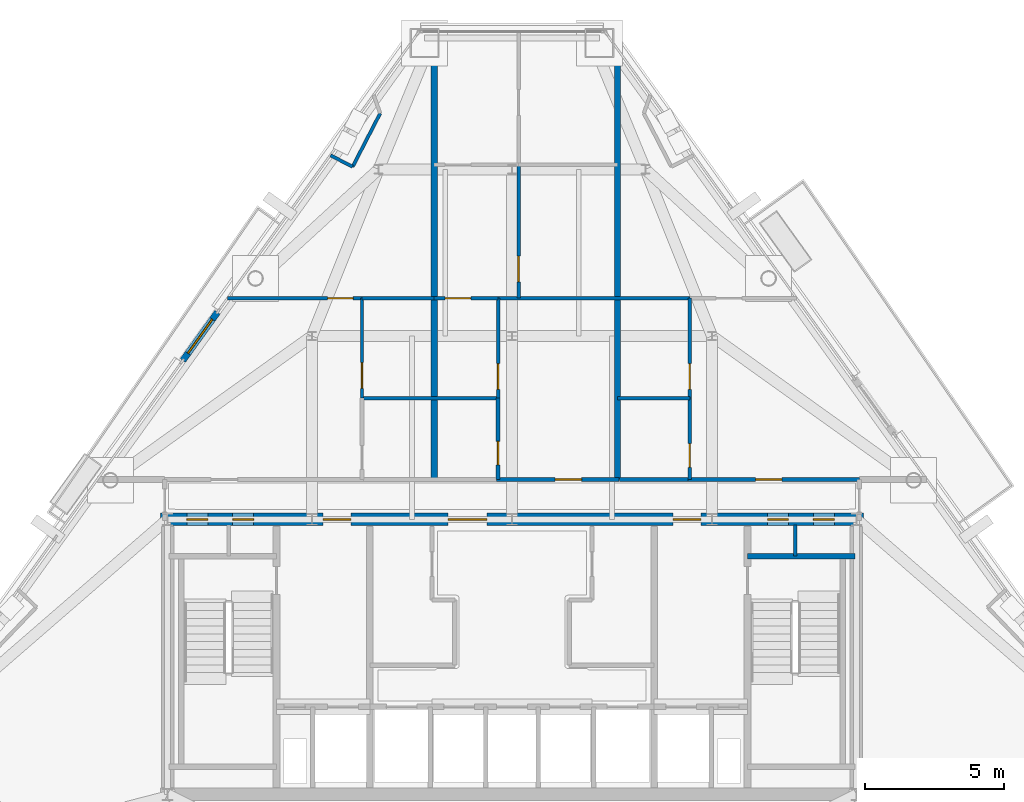
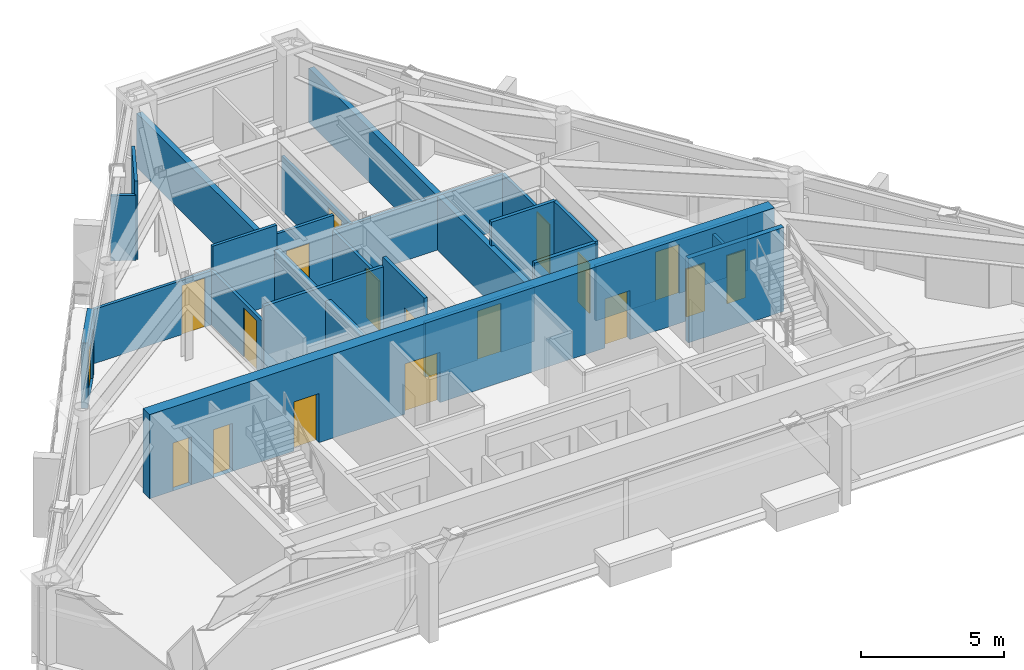
# One storey, part 8 of 11: 23 walls, 18 doors, 18 openings.
"""IFC4 building model written with IfcOpenShell, lengths in metres."""

from ifc_helpers import new_model, si_unit, direction, frame, frame_2d, origin, place, context, subcontext, project, spatial, rectangle, extrude, material, layer, layer_set, type_object, element, fill, save


model = new_model("IFC4")

# Units and contexts
model_context = context("Model", 3, precision=1e-05, world=origin(), true_north=direction((0.0, 1.0)))
body_context = subcontext(model_context, "Body", "Model", "MODEL_VIEW")
ifc_project = project(units=[si_unit("LENGTHUNIT", "METRE"), si_unit("AREAUNIT", "SQUARE_METRE"), si_unit("VOLUMEUNIT", "CUBIC_METRE"), si_unit("PLANEANGLEUNIT", "RADIAN"), si_unit("MASSUNIT", "GRAM", prefix="KILO")], contexts=[model_context])

# Site, building, storey
site_placement = place(None, origin())
site = spatial("IfcSite", under=ifc_project, at=site_placement, CompositionType="ELEMENT")
building_placement = place(site_placement, origin())
building = spatial("IfcBuilding", under=site, at=building_placement, Name="Talgorran Terracotta Tower", CompositionType="ELEMENT")
storey_placement = place(building_placement, frame((0.0, 0.0, 214.5)))
storey = spatial("IfcBuildingStorey", under=building, at=storey_placement, Name="L56", CompositionType="ELEMENT", Elevation=214.5)

# Wall, opening, door
ifc_material_1 = material(Name="Concrete C40/50", Category="concrete")
ifc_layer_1 = layer(ifc_material_1, 0.239990234375, Name="WT_BALCONY_SPAND")
ifc_layer_set_1 = layer_set([ifc_layer_1], Name="Concrete C40/50")
wall_type_1 = type_object("IfcWallType", Name="WT_BALCONY_SPAND", PredefinedType="STANDARD", material=ifc_layer_set_1)
wall_1_placement = place(storey_placement, frame((-10.60107421875, 3.2587890625, -0.014892578125), z_axis=(0.0, 0.0, 1.0), x_axis=(-0.583556118157, -0.812072815061, 0.0)))
wall_1 = element("IfcWall", 1, at=wall_1_placement, inside=storey, type_object=wall_type_1, Name="WL-L56-BALP-BAL-NW", PredefinedType="STANDARD", context=body_context, shape_type="SweptSolid", body=[
    extrude(rectangle(XDim=2.139892578125, YDim=0.239990234375, at=frame_2d((1.06982421875, 0.0))), origin(), (0.0, 0.0, 1.0), 2.802001953125),
])
opening_1_placement = place(wall_1_placement, frame((0.320068359375, 0.0, 0.014892578125)))
opening_1 = element("IfcOpeningElement", 2, at=opening_1_placement, cuts=wall_1, Name="Opening D-BAL-L56-2", PredefinedType="OPENING", context=body_context, shape_type="SweptSolid", body=[
    extrude(rectangle(XDim=1.506, YDim=2.203951171875, at=frame_2d((0.75, 1.10205078125))), frame((0.0, 0.1298828125, 0.0), z_axis=(0.0, -1.0, 0.0), x_axis=(1.0, 0.0, 0.0)), (0.0, 0.0, 1.0), 0.260009765625),
])
ifc_material_2 = material(Name="Thermally Broken Aluminium", Category="aluminium")
door_type_1 = type_object("IfcDoorType", Name="DT_BALC_1500", OperationType="SLIDING_TO_RIGHT", PredefinedType="DOOR", material=ifc_material_2)
door_1_placement = place(opening_1_placement, origin())
door_1 = element("IfcDoor", 3, at=door_1_placement, inside=storey, type_object=door_type_1, Name="DR-L56-BAL-BAL-NW", OperationType="SLIDING_TO_RIGHT", OverallHeight=2.199951171875, OverallWidth=1.5, PredefinedType="DOOR", context=body_context, shape_type="SweptSolid", body=[
    extrude(rectangle(XDim=1.5, YDim=2.199951171875, at=frame_2d((0.75, 1.10009765625))), frame((0.0, 0.02490234375, 0.0), z_axis=(0.0, -1.0, 0.0), x_axis=(1.0, 0.0, 0.0)), (0.0, 0.0, 1.0), 0.050048828125),
])
fill(opening_1, door_1)

# Wall
ifc_material_3 = material(Name="Concrete C50/60", Category="concrete")
ifc_layer_2 = layer(ifc_material_3, 0.199951171875, Name="WT_CORE_200")
ifc_layer_set_2 = layer_set([ifc_layer_2], Name="Concrete C50/60")
wall_type_2 = type_object("IfcWallType", Name="WT_CORE_200", PredefinedType="SOLIDWALL", material=ifc_layer_set_2)
wall_2_placement = place(storey_placement, frame((8.47998046875, -5.52001953125, 0.0), z_axis=(0.0, 0.0, 1.0), x_axis=(1.0, 0.0, 0.0)))
element("IfcWall", 4, at=wall_2_placement, inside=storey, type_object=wall_type_2, Name="WL-L56-CW-ST2-N", PredefinedType="SOLIDWALL", context=body_context, shape_type="SweptSolid", body=[
    extrude(rectangle(XDim=3.8701171875, YDim=0.199951171875, at=frame_2d((1.93505859375, 0.0))), origin(), (0.0, 0.0, 1.0), 3.60009765625),
])

# Wall, openings, doors
ifc_material_4 = material(Name="Concrete C65/80", Category="concrete")
ifc_layer_3 = layer(ifc_material_4, 0.449951171875, Name="WT_CORE_EXT")
ifc_layer_set_3 = layer_set([ifc_layer_3], Name="Concrete C65/80")
wall_type_3 = type_object("IfcWallType", Name="WT_CORE_EXT", PredefinedType="SHEAR", material=ifc_layer_set_3)
wall_3_placement = place(storey_placement, frame((-12.64990234375, -4.199951171875, 0.0), z_axis=(0.0, 0.0, 1.0), x_axis=(1.0, 0.0, 0.0)))
wall_3 = element("IfcWall", 5, at=wall_3_placement, inside=storey, type_object=wall_type_3, Name="WL-L56-CW-OUT-N", PredefinedType="SHEAR", context=body_context, shape_type="SweptSolid", body=[
    extrude(rectangle(XDim=25.2998046875, YDim=0.449951171875, at=frame_2d((12.64990234375, 0.0))), origin(), (0.0, 0.0, 1.0), 3.60009765625),
])
opening_2_placement = place(wall_3_placement, frame((0.949951171875, 0.0, 0.0)))
opening_2 = element("IfcOpeningElement", 6, at=opening_2_placement, cuts=wall_3, Name="Opening DR-CSN1", PredefinedType="OPENING", context=body_context, shape_type="SweptSolid", body=[
    extrude(rectangle(XDim=0.756, YDim=2.054048828125, at=frame_2d((0.375, 1.027099609375))), frame((0.0, 0.23486328125, 0.0), z_axis=(0.0, -1.0, 0.0), x_axis=(1.0, 0.0, 0.0)), (0.0, 0.0, 1.0), 0.469970703125),
])
opening_3_placement = place(wall_3_placement, frame((2.60009765625, 0.0, 0.0)))
opening_3 = element("IfcOpeningElement", 7, at=opening_3_placement, cuts=wall_3, Name="Opening DR-CSN2", PredefinedType="OPENING", context=body_context, shape_type="SweptSolid", body=[
    extrude(rectangle(XDim=0.756, YDim=2.054048828125, at=frame_2d((0.375, 1.027099609375))), frame((0.0, 0.23486328125, 0.0), z_axis=(0.0, -1.0, 0.0), x_axis=(1.0, 0.0, 0.0)), (0.0, 0.0, 1.0), 0.469970703125),
])
opening_4_placement = place(wall_3_placement, frame((21.85009765625, 0.0, 0.0)))
opening_4 = element("IfcOpeningElement", 8, at=opening_4_placement, cuts=wall_3, Name="Opening DR-CSN3", PredefinedType="OPENING", context=body_context, shape_type="SweptSolid", body=[
    extrude(rectangle(XDim=0.756, YDim=2.054048828125, at=frame_2d((0.375, 1.027099609375))), frame((0.0, 0.23486328125, 0.0), z_axis=(0.0, -1.0, 0.0), x_axis=(1.0, 0.0, 0.0)), (0.0, 0.0, 1.0), 0.469970703125),
])
opening_5_placement = place(wall_3_placement, frame((23.5, 0.0, 0.0)))
opening_5 = element("IfcOpeningElement", 9, at=opening_5_placement, cuts=wall_3, Name="Opening DR-CSN4", PredefinedType="OPENING", context=body_context, shape_type="SweptSolid", body=[
    extrude(rectangle(XDim=0.756, YDim=2.054048828125, at=frame_2d((0.375, 1.027099609375))), frame((0.0, 0.23486328125, 0.0), z_axis=(0.0, -1.0, 0.0), x_axis=(1.0, 0.0, 0.0)), (0.0, 0.0, 1.0), 0.469970703125),
])
opening_6_placement = place(wall_3_placement, frame((5.85009765625, 0.0, 0.0)))
opening_6 = element("IfcOpeningElement", 10, at=opening_6_placement, cuts=wall_3, Name="Opening DR-FFLW-N", PredefinedType="OPENING", context=body_context, shape_type="SweptSolid", body=[
    extrude(rectangle(XDim=1.006, YDim=2.10409765625, at=frame_2d((0.5, 1.052001953125))), frame((0.0, 0.23486328125, 0.0), z_axis=(0.0, -1.0, 0.0), x_axis=(1.0, 0.0, 0.0)), (0.0, 0.0, 1.0), 0.469970703125),
])
opening_7_placement = place(wall_3_placement, frame((10.35009765625, 0.0, 0.0)))
opening_7 = element("IfcOpeningElement", 11, at=opening_7_placement, cuts=wall_3, Name="Opening DR-PLL-N", PredefinedType="OPENING", context=body_context, shape_type="SweptSolid", body=[
    extrude(rectangle(XDim=1.40590234375, YDim=2.15390234375, at=frame_2d((0.699951171875, 1.076904296875))), frame((0.0, 0.23486328125, 0.0), z_axis=(0.0, -1.0, 0.0), x_axis=(1.0, 0.0, 0.0)), (0.0, 0.0, 1.0), 0.469970703125),
])
opening_8_placement = place(wall_3_placement, frame((18.449951171875, 0.0, 0.0)))
opening_8 = element("IfcOpeningElement", 12, at=opening_8_placement, cuts=wall_3, Name="Opening DR-FFLE-N", PredefinedType="OPENING", context=body_context, shape_type="SweptSolid", body=[
    extrude(rectangle(XDim=1.006, YDim=2.10409765625, at=frame_2d((0.5, 1.052001953125))), frame((0.0, 0.23486328125, 0.0), z_axis=(0.0, -1.0, 0.0), x_axis=(1.0, 0.0, 0.0)), (0.0, 0.0, 1.0), 0.469970703125),
])
ifc_material_5 = material(Name="Acoustic Glazed Timber", Category="wood")
door_type_2 = type_object("IfcDoorType", Name="DT_DOUBLE_1400", OperationType="DOUBLE_DOOR_SINGLE_SWING", PredefinedType="DOOR", material=ifc_material_5)
door_2_placement = place(opening_7_placement, origin())
door_2 = element("IfcDoor", 13, at=door_2_placement, inside=storey, type_object=door_type_2, Name="DR-PLL-N", OperationType="DOUBLE_DOOR_SINGLE_SWING", OverallHeight=2.14990234375, OverallWidth=1.39990234375, PredefinedType="DOOR", context=body_context, shape_type="SweptSolid", body=[
    extrude(rectangle(XDim=1.39990234375, YDim=2.14990234375, at=frame_2d((0.699951171875, 1.074951171875))), frame((0.0, 0.02490234375, 0.0), z_axis=(0.0, -1.0, 0.0), x_axis=(1.0, 0.0, 0.0)), (0.0, 0.0, 1.0), 0.050048828125),
])
fill(opening_7, door_2)
ifc_material_6 = material(Name="Fire-Rated Pressed Steel", Category="steel")
door_type_3 = type_object("IfcDoorType", Name="DT_FIRE_1000", OperationType="NOTDEFINED", PredefinedType="DOOR", material=ifc_material_6)
door_3_placement = place(opening_6_placement, origin())
door_3 = element("IfcDoor", 14, at=door_3_placement, inside=storey, type_object=door_type_3, Name="DR-FFLW-N", OperationType="SINGLE_SWING_LEFT", OverallHeight=2.10009765625, OverallWidth=1.0, PredefinedType="DOOR", context=body_context, shape_type="SweptSolid", body=[
    extrude(rectangle(XDim=1.0, YDim=2.10009765625, at=frame_2d((0.5, 1.050048828125))), frame((0.0, 0.02490234375, 0.0), z_axis=(0.0, -1.0, 0.0), x_axis=(1.0, 0.0, 0.0)), (0.0, 0.0, 1.0), 0.050048828125),
])
fill(opening_6, door_3)
door_4_placement = place(opening_8_placement, origin())
door_4 = element("IfcDoor", 15, at=door_4_placement, inside=storey, type_object=door_type_3, Name="DR-FFLE-N", OperationType="SINGLE_SWING_RIGHT", OverallHeight=2.10009765625, OverallWidth=1.0, PredefinedType="DOOR", context=body_context, shape_type="SweptSolid", body=[
    extrude(rectangle(XDim=1.0, YDim=2.10009765625, at=frame_2d((0.5, 1.050048828125))), frame((0.0, 0.02490234375, 0.0), z_axis=(0.0, -1.0, 0.0), x_axis=(1.0, 0.0, 0.0)), (0.0, 0.0, 1.0), 0.050048828125),
])
fill(opening_8, door_4)
door_type_4 = type_object("IfcDoorType", Name="DT_RISER_750", OperationType="NOTDEFINED", PredefinedType="DOOR", material=ifc_material_6)
door_5_placement = place(opening_2_placement, origin())
door_5 = element("IfcDoor", 16, at=door_5_placement, inside=storey, type_object=door_type_4, Name="DR-CSN1", OperationType="SINGLE_SWING_LEFT", OverallHeight=2.050048828125, OverallWidth=0.75, PredefinedType="DOOR", context=body_context, shape_type="SweptSolid", body=[
    extrude(rectangle(XDim=0.75, YDim=2.050048828125, at=frame_2d((0.375, 1.02490234375))), frame((0.0, 0.02490234375, 0.0), z_axis=(0.0, -1.0, 0.0), x_axis=(1.0, 0.0, 0.0)), (0.0, 0.0, 1.0), 0.050048828125),
])
fill(opening_2, door_5)
door_6_placement = place(opening_3_placement, origin())
door_6 = element("IfcDoor", 17, at=door_6_placement, inside=storey, type_object=door_type_4, Name="DR-CSN2", OperationType="SINGLE_SWING_RIGHT", OverallHeight=2.050048828125, OverallWidth=0.75, PredefinedType="DOOR", context=body_context, shape_type="SweptSolid", body=[
    extrude(rectangle(XDim=0.75, YDim=2.050048828125, at=frame_2d((0.375, 1.02490234375))), frame((0.0, 0.02490234375, 0.0), z_axis=(0.0, -1.0, 0.0), x_axis=(1.0, 0.0, 0.0)), (0.0, 0.0, 1.0), 0.050048828125),
])
fill(opening_3, door_6)
door_7_placement = place(opening_4_placement, origin())
door_7 = element("IfcDoor", 18, at=door_7_placement, inside=storey, type_object=door_type_4, Name="DR-CSN3", OperationType="SINGLE_SWING_LEFT", OverallHeight=2.050048828125, OverallWidth=0.75, PredefinedType="DOOR", context=body_context, shape_type="SweptSolid", body=[
    extrude(rectangle(XDim=0.75, YDim=2.050048828125, at=frame_2d((0.375, 1.02490234375))), frame((0.0, 0.02490234375, 0.0), z_axis=(0.0, -1.0, 0.0), x_axis=(1.0, 0.0, 0.0)), (0.0, 0.0, 1.0), 0.050048828125),
])
fill(opening_4, door_7)
door_8_placement = place(opening_5_placement, origin())
door_8 = element("IfcDoor", 19, at=door_8_placement, inside=storey, type_object=door_type_4, Name="DR-CSN4", OperationType="SINGLE_SWING_RIGHT", OverallHeight=2.050048828125, OverallWidth=0.75, PredefinedType="DOOR", context=body_context, shape_type="SweptSolid", body=[
    extrude(rectangle(XDim=0.75, YDim=2.050048828125, at=frame_2d((0.375, 1.02490234375))), frame((0.0, 0.02490234375, 0.0), z_axis=(0.0, -1.0, 0.0), x_axis=(1.0, 0.0, 0.0)), (0.0, 0.0, 1.0), 0.050048828125),
])
fill(opening_5, door_8)

# Wall, opening, door
ifc_material_7 = material(Name="Fire-Rated Steel Stud Plasterboard", Category="steel")
ifc_layer_4 = layer(ifc_material_7, 0.14990234375, Name="WT_FIRE_150")
ifc_layer_set_4 = layer_set([ifc_layer_4], Name="Fire-Rated Steel Stud Plasterboard")
wall_type_4 = type_object("IfcWallType", Name="WT_FIRE_150", PredefinedType="PARTITIONING", material=ifc_layer_set_4)
wall_4_placement = place(storey_placement, frame((6.340087890625, -2.760009765625, 0.0), z_axis=(0.0, 0.0, 1.0), x_axis=(1.0, 0.0, 0.0)))
wall_4 = element("IfcWall", 20, at=wall_4_placement, inside=storey, type_object=wall_type_4, Name="WL-L56-W-L56-R08", PredefinedType="PARTITIONING", context=body_context, shape_type="SweptSolid", body=[
    extrude(rectangle(XDim=6.159912109375, YDim=0.14990234375, at=frame_2d((3.080078125, 0.0))), origin(), (0.0, 0.0, 1.0), 2.320068359375),
])
opening_9_placement = place(wall_4_placement, frame((2.426025390625, 0.0, 0.0)))
opening_9 = element("IfcOpeningElement", 21, at=opening_9_placement, cuts=wall_4, Name="Opening DR-L56-R15", PredefinedType="OPENING", context=body_context, shape_type="SweptSolid", body=[
    extrude(rectangle(XDim=0.955951171875, YDim=2.10409765625, at=frame_2d((0.47509765625, 1.052001953125))), frame((0.0, 0.0849609375, 0.0), z_axis=(0.0, -1.0, 0.0), x_axis=(1.0, 0.0, 0.0)), (0.0, 0.0, 1.0), 0.169921875),
])
ifc_material_8 = material(Name="Fire-Rated Timber Core", Category="wood")
door_type_5 = type_object("IfcDoorType", Name="DT_FIRE_950", OperationType="NOTDEFINED", PredefinedType="DOOR", material=ifc_material_8)
door_9_placement = place(opening_9_placement, origin())
door_9 = element("IfcDoor", 22, at=door_9_placement, inside=storey, type_object=door_type_5, Name="DR-L56-R15", OperationType="SINGLE_SWING_LEFT", OverallHeight=2.10009765625, OverallWidth=0.949951171875, PredefinedType="DOOR", context=body_context, shape_type="SweptSolid", body=[
    extrude(rectangle(XDim=0.949951171875, YDim=2.10009765625, at=frame_2d((0.47509765625, 1.050048828125))), frame((0.0, 0.02490234375, 0.0), z_axis=(0.0, -1.0, 0.0), x_axis=(1.0, 0.0, 0.0)), (0.0, 0.0, 1.0), 0.050048828125),
])
fill(opening_9, door_9)

wall_5_placement = place(storey_placement, frame((-0.56005859375, -2.760009765625, 0.0), z_axis=(0.0, 0.0, 1.0), x_axis=(1.0, 0.0, 0.0)))
wall_5 = element("IfcWall", 23, at=wall_5_placement, inside=storey, type_object=wall_type_4, Name="WL-L56-W-L56-R06", PredefinedType="PARTITIONING", context=body_context, shape_type="SweptSolid", body=[
    extrude(rectangle(XDim=4.420166015625, YDim=0.14990234375, at=frame_2d((2.2099609375, 0.0))), origin(), (0.0, 0.0, 1.0), 2.320068359375),
])
opening_10_placement = place(wall_5_placement, frame((2.11376953125, 0.0, 0.0)))
opening_10 = element("IfcOpeningElement", 24, at=opening_10_placement, cuts=wall_5, Name="Opening DR-L56-R09", PredefinedType="OPENING", context=body_context, shape_type="SweptSolid", body=[
    extrude(rectangle(XDim=0.955951171875, YDim=2.10409765625, at=frame_2d((0.47509765625, 1.052001953125))), frame((0.0, 0.0849609375, 0.0), z_axis=(0.0, -1.0, 0.0), x_axis=(1.0, 0.0, 0.0)), (0.0, 0.0, 1.0), 0.169921875),
])
door_10_placement = place(opening_10_placement, origin())
door_10 = element("IfcDoor", 25, at=door_10_placement, inside=storey, type_object=door_type_5, Name="DR-L56-R09", OperationType="SINGLE_SWING_LEFT", OverallHeight=2.10009765625, OverallWidth=0.949951171875, PredefinedType="DOOR", context=body_context, shape_type="SweptSolid", body=[
    extrude(rectangle(XDim=0.949951171875, YDim=2.10009765625, at=frame_2d((0.47509765625, 1.050048828125))), frame((0.0, 0.02490234375, 0.0), z_axis=(0.0, -1.0, 0.0), x_axis=(1.0, 0.0, 0.0)), (0.0, 0.0, 1.0), 0.050048828125),
])
fill(opening_10, door_10)

# Walls
wall_6_placement = place(storey_placement, frame((3.862060546875, -2.760009765625, 0.0), z_axis=(0.0, 0.0, 1.0), x_axis=(1.0, 0.0, 0.0)))
element("IfcWall", 26, at=wall_6_placement, inside=storey, type_object=wall_type_4, Name="WL-L56-W-L56-R07", PredefinedType="PARTITIONING", context=body_context, shape_type="SweptSolid", body=[
    extrude(rectangle(XDim=2.475830078125, YDim=0.14990234375, at=frame_2d((1.23779296875, 0.0))), origin(), (0.0, 0.0, 1.0), 3.344970703125),
])
ifc_material_9 = material(Name="Acoustic Masonry and Plasterboard", Category="masonry")
ifc_layer_5 = layer(ifc_material_9, 0.219970703125, Name="WT_PARTY_220")
ifc_layer_set_5 = layer_set([ifc_layer_5], Name="Acoustic Masonry and Plasterboard")
wall_type_5 = type_object("IfcWallType", Name="WT_PARTY_220", PredefinedType="PARTITIONING", material=ifc_layer_set_5)
wall_7_placement = place(storey_placement, frame((-2.800048828125, -2.760009765625, 0.0), z_axis=(0.0, 0.0, 1.0), x_axis=(0.0, 1.0, 0.0)))
element("IfcWall", 27, at=wall_7_placement, inside=storey, type_object=wall_type_5, Name="WL-L56-W-L56-R18", PredefinedType="PARTITIONING", context=body_context, shape_type="SweptSolid", body=[
    extrude(rectangle(XDim=16.109619140625, YDim=0.219970703125, at=frame_2d((8.0546875, 0.0))), origin(), (0.0, 0.0, 1.0), 2.320068359375),
])
wall_8_placement = place(storey_placement, frame((3.800048828125, -2.760009765625, 0.0), z_axis=(0.0, 0.0, 1.0), x_axis=(0.0, 1.0, 0.0)))
element("IfcWall", 28, at=wall_8_placement, inside=storey, type_object=wall_type_5, Name="WL-L56-W-L56-R31", PredefinedType="PARTITIONING", context=body_context, shape_type="SweptSolid", body=[
    extrude(rectangle(XDim=15.483154296875, YDim=0.219970703125, at=frame_2d((7.74169921875, 0.0))), origin(), (0.0, 0.0, 1.0), 2.320068359375),
])
ifc_material_10 = material(Name="Insulated Steel Stud Plasterboard", Category="steel")
ifc_layer_6 = layer(ifc_material_10, 0.1201171875, Name="WT_PART_120")
ifc_layer_set_6 = layer_set([ifc_layer_6], Name="Insulated Steel Stud Plasterboard")
wall_type_6 = type_object("IfcWallType", Name="WT_PART_120", PredefinedType="PARTITIONING", material=ifc_layer_set_6)
wall_9_placement = place(storey_placement, frame((10.199951171875, -5.52001953125, 0.0), z_axis=(0.0, 0.0, 1.0), x_axis=(0.0, 1.0, 0.0)))
element("IfcWall", 29, at=wall_9_placement, inside=storey, type_object=wall_type_6, Name="WL-L56-CW-CSE-DIV", PredefinedType="PARTITIONING", context=body_context, shape_type="SweptSolid", body=[
    extrude(rectangle(XDim=1.1201171875, YDim=0.1201171875, at=frame_2d((0.56005859375, 0.0))), origin(), (0.0, 0.0, 1.0), 3.344970703125),
])

# Wall, opening, door
wall_10_placement = place(storey_placement, frame((-10.24072265625, 3.760009765625, 0.0), z_axis=(0.0, 0.0, 1.0), x_axis=(1.0, 0.0, 0.0)))
wall_10 = element("IfcWall", 30, at=wall_10_placement, inside=storey, type_object=wall_type_6, Name="WL-L56-W-L56-R17", PredefinedType="PARTITIONING", context=body_context, shape_type="SweptSolid", body=[
    extrude(rectangle(XDim=4.8408203125, YDim=0.1201171875, at=frame_2d((2.42041015625, 0.0))), origin(), (0.0, 0.0, 1.0), 2.320068359375),
])
opening_11_placement = place(wall_10_placement, frame((3.602294921875, 0.0, 0.0)))
opening_11 = element("IfcOpeningElement", 31, at=opening_11_placement, cuts=wall_10, Name="Opening DR-L56-R06", PredefinedType="OPENING", context=body_context, shape_type="SweptSolid", body=[
    extrude(rectangle(XDim=0.925921875, YDim=2.10409765625, at=frame_2d((0.4599609375, 1.052001953125))), frame((0.0, 0.070068359375, 0.0), z_axis=(0.0, -1.0, 0.0), x_axis=(1.0, 0.0, 0.0)), (0.0, 0.0, 1.0), 0.14013671875),
])
ifc_material_11 = material(Name="Solid-Core Painted Timber", Category="wood")
door_type_6 = type_object("IfcDoorType", Name="DT_INT_920", OperationType="NOTDEFINED", PredefinedType="DOOR", material=ifc_material_11)
door_11_placement = place(opening_11_placement, origin())
door_11 = element("IfcDoor", 32, at=door_11_placement, inside=storey, type_object=door_type_6, Name="DR-L56-R06", OperationType="SINGLE_SWING_RIGHT", OverallHeight=2.10009765625, OverallWidth=0.919921875, PredefinedType="DOOR", context=body_context, shape_type="SweptSolid", body=[
    extrude(rectangle(XDim=0.919921875, YDim=2.10009765625, at=frame_2d((0.4599609375, 1.050048828125))), frame((0.0, 0.02490234375, 0.0), z_axis=(0.0, -1.0, 0.0), x_axis=(1.0, 0.0, 0.0)), (0.0, 0.0, 1.0), 0.050048828125),
])
fill(opening_11, door_11)

wall_11_placement = place(storey_placement, frame((0.239990234375, 3.760009765625, 0.0), z_axis=(0.0, 0.0, 1.0), x_axis=(0.0, 1.0, 0.0)))
wall_11 = element("IfcWall", 33, at=wall_11_placement, inside=storey, type_object=wall_type_6, Name="WL-L56-W-L56-R28", PredefinedType="PARTITIONING", context=body_context, shape_type="SweptSolid", body=[
    extrude(rectangle(XDim=4.800048828125, YDim=0.1201171875, at=frame_2d((2.39990234375, 0.0))), origin(), (0.0, 0.0, 1.0), 2.320068359375),
])
opening_12_placement = place(wall_11_placement, frame((0.5947265625, 0.0, 0.0)))
opening_12 = element("IfcOpeningElement", 34, at=opening_12_placement, cuts=wall_11, Name="Opening DR-L56-R11", PredefinedType="OPENING", context=body_context, shape_type="SweptSolid", body=[
    extrude(rectangle(XDim=0.925921875, YDim=2.10409765625, at=frame_2d((0.4599609375, 1.052001953125))), frame((0.0, 0.070068359375, 0.0), z_axis=(0.0, -1.0, 0.0), x_axis=(1.0, 0.0, 0.0)), (0.0, 0.0, 1.0), 0.14013671875),
])
door_12_placement = place(opening_12_placement, origin())
door_12 = element("IfcDoor", 35, at=door_12_placement, inside=storey, type_object=door_type_6, Name="DR-L56-R11", OperationType="SINGLE_SWING_LEFT", OverallHeight=2.10009765625, OverallWidth=0.919921875, PredefinedType="DOOR", context=body_context, shape_type="SweptSolid", body=[
    extrude(rectangle(XDim=0.919921875, YDim=2.10009765625, at=frame_2d((0.4599609375, 1.050048828125))), frame((0.0, 0.02490234375, 0.0), z_axis=(0.0, -1.0, 0.0), x_axis=(1.0, 0.0, 0.0)), (0.0, 0.0, 1.0), 0.050048828125),
])
fill(opening_12, door_12)

# Wall
wall_12_placement = place(storey_placement, frame((-0.5, 3.760009765625, 0.0), z_axis=(0.0, 0.0, 1.0), x_axis=(1.0, 0.0, 0.0)))
element("IfcWall", 36, at=wall_12_placement, inside=storey, type_object=wall_type_6, Name="WL-L56-W-L56-R25", PredefinedType="PARTITIONING", context=body_context, shape_type="SweptSolid", body=[
    extrude(rectangle(XDim=6.89990234375, YDim=0.1201171875, at=frame_2d((3.449951171875, 0.0))), origin(), (0.0, 0.0, 1.0), 2.320068359375),
])

# Wall, opening, door
wall_13_placement = place(storey_placement, frame((-5.39990234375, 0.159912109375, 0.0), z_axis=(0.0, 0.0, 1.0), x_axis=(0.0, 1.0, 0.0)))
wall_13 = element("IfcWall", 37, at=wall_13_placement, inside=storey, type_object=wall_type_6, Name="WL-L56-W-L56-R14", PredefinedType="PARTITIONING", context=body_context, shape_type="SweptSolid", body=[
    extrude(rectangle(XDim=3.60009765625, YDim=0.1201171875, at=frame_2d((1.800048828125, 0.0))), origin(), (0.0, 0.0, 1.0), 2.320068359375),
])
opening_13_placement = place(wall_13_placement, frame((0.360107421875, 0.0, 0.0)))
opening_13 = element("IfcOpeningElement", 38, at=opening_13_placement, cuts=wall_13, Name="Opening DR-L56-R04", PredefinedType="OPENING", context=body_context, shape_type="SweptSolid", body=[
    extrude(rectangle(XDim=0.925921875, YDim=2.10409765625, at=frame_2d((0.4599609375, 1.052001953125))), frame((0.0, 0.070068359375, 0.0), z_axis=(0.0, -1.0, 0.0), x_axis=(1.0, 0.0, 0.0)), (0.0, 0.0, 1.0), 0.14013671875),
])
door_13_placement = place(opening_13_placement, origin())
door_13 = element("IfcDoor", 39, at=door_13_placement, inside=storey, type_object=door_type_6, Name="DR-L56-R04", OperationType="SINGLE_SWING_RIGHT", OverallHeight=2.10009765625, OverallWidth=0.919921875, PredefinedType="DOOR", context=body_context, shape_type="SweptSolid", body=[
    extrude(rectangle(XDim=0.919921875, YDim=2.10009765625, at=frame_2d((0.4599609375, 1.050048828125))), frame((0.0, 0.02490234375, 0.0), z_axis=(0.0, -1.0, 0.0), x_axis=(1.0, 0.0, 0.0)), (0.0, 0.0, 1.0), 0.050048828125),
])
fill(opening_13, door_13)

wall_14_placement = place(storey_placement, frame((-0.5, 0.159912109375, 0.0), z_axis=(0.0, 0.0, 1.0), x_axis=(0.0, 1.0, 0.0)))
wall_14 = element("IfcWall", 40, at=wall_14_placement, inside=storey, type_object=wall_type_6, Name="WL-L56-W-L56-R22", PredefinedType="PARTITIONING", context=body_context, shape_type="SweptSolid", body=[
    extrude(rectangle(XDim=3.60009765625, YDim=0.1201171875, at=frame_2d((1.800048828125, 0.0))), origin(), (0.0, 0.0, 1.0), 2.320068359375),
])
opening_14_placement = place(wall_14_placement, frame((0.320068359375, 0.0, 0.0)))
opening_14 = element("IfcOpeningElement", 41, at=opening_14_placement, cuts=wall_14, Name="Opening DR-L56-R08", PredefinedType="OPENING", context=body_context, shape_type="SweptSolid", body=[
    extrude(rectangle(XDim=0.925921875, YDim=2.10409765625, at=frame_2d((0.4599609375, 1.052001953125))), frame((0.0, 0.070068359375, 0.0), z_axis=(0.0, -1.0, 0.0), x_axis=(1.0, 0.0, 0.0)), (0.0, 0.0, 1.0), 0.14013671875),
])
door_14_placement = place(opening_14_placement, origin())
door_14 = element("IfcDoor", 42, at=door_14_placement, inside=storey, type_object=door_type_6, Name="DR-L56-R08", OperationType="SINGLE_SWING_RIGHT", OverallHeight=2.10009765625, OverallWidth=0.919921875, PredefinedType="DOOR", context=body_context, shape_type="SweptSolid", body=[
    extrude(rectangle(XDim=0.919921875, YDim=2.10009765625, at=frame_2d((0.4599609375, 1.050048828125))), frame((0.0, 0.02490234375, 0.0), z_axis=(0.0, -1.0, 0.0), x_axis=(1.0, 0.0, 0.0)), (0.0, 0.0, 1.0), 0.050048828125),
])
fill(opening_14, door_14)

wall_15_placement = place(storey_placement, frame((6.39990234375, 0.159912109375, 0.0), z_axis=(0.0, 0.0, 1.0), x_axis=(0.0, 1.0, 0.0)))
wall_15 = element("IfcWall", 43, at=wall_15_placement, inside=storey, type_object=wall_type_6, Name="WL-L56-W-L56-R36", PredefinedType="PARTITIONING", context=body_context, shape_type="SweptSolid", body=[
    extrude(rectangle(XDim=3.60009765625, YDim=0.1201171875, at=frame_2d((1.800048828125, 0.0))), origin(), (0.0, 0.0, 1.0), 2.320068359375),
])
opening_15_placement = place(wall_15_placement, frame((0.320068359375, 0.0, 0.0)))
opening_15 = element("IfcOpeningElement", 44, at=opening_15_placement, cuts=wall_15, Name="Opening DR-L56-R14", PredefinedType="OPENING", context=body_context, shape_type="SweptSolid", body=[
    extrude(rectangle(XDim=0.925921875, YDim=2.10409765625, at=frame_2d((0.4599609375, 1.052001953125))), frame((0.0, 0.070068359375, 0.0), z_axis=(0.0, -1.0, 0.0), x_axis=(1.0, 0.0, 0.0)), (0.0, 0.0, 1.0), 0.14013671875),
])
door_15_placement = place(opening_15_placement, origin())
door_15 = element("IfcDoor", 45, at=door_15_placement, inside=storey, type_object=door_type_6, Name="DR-L56-R14", OperationType="SINGLE_SWING_RIGHT", OverallHeight=2.10009765625, OverallWidth=0.919921875, PredefinedType="DOOR", context=body_context, shape_type="SweptSolid", body=[
    extrude(rectangle(XDim=0.919921875, YDim=2.10009765625, at=frame_2d((0.4599609375, 1.050048828125))), frame((0.0, 0.02490234375, 0.0), z_axis=(0.0, -1.0, 0.0), x_axis=(1.0, 0.0, 0.0)), (0.0, 0.0, 1.0), 0.050048828125),
])
fill(opening_15, door_15)

# Wall
wall_16_placement = place(storey_placement, frame((-5.39990234375, 3.760009765625, 0.0), z_axis=(0.0, 0.0, 1.0), x_axis=(1.0, 0.0, 0.0)))
element("IfcWall", 46, at=wall_16_placement, inside=storey, type_object=wall_type_6, Name="WL-L56-W-L56-R15", PredefinedType="PARTITIONING", context=body_context, shape_type="SweptSolid", body=[
    extrude(rectangle(XDim=2.599853515625, YDim=0.1201171875, at=frame_2d((1.2998046875, 0.0))), origin(), (0.0, 0.0, 1.0), 3.344970703125),
])

# Wall, opening, door
wall_17_placement = place(storey_placement, frame((-2.800048828125, 3.760009765625, 0.0), z_axis=(0.0, 0.0, 1.0), x_axis=(1.0, 0.0, 0.0)))
wall_17 = element("IfcWall", 47, at=wall_17_placement, inside=storey, type_object=wall_type_6, Name="WL-L56-W-L56-R23", PredefinedType="PARTITIONING", context=body_context, shape_type="SweptSolid", body=[
    extrude(rectangle(XDim=2.300048828125, YDim=0.1201171875, at=frame_2d((1.14990234375, 0.0))), origin(), (0.0, 0.0, 1.0), 2.96435546875),
])
opening_16_placement = place(wall_17_placement, frame((0.395263671875, 0.0, 0.0)))
opening_16 = element("IfcOpeningElement", 48, at=opening_16_placement, cuts=wall_17, Name="Opening DR-L56-R17", PredefinedType="OPENING", context=body_context, shape_type="SweptSolid", body=[
    extrude(rectangle(XDim=0.925921875, YDim=2.10409765625, at=frame_2d((0.4599609375, 1.052001953125))), frame((0.0, 0.070068359375, 0.0), z_axis=(0.0, -1.0, 0.0), x_axis=(1.0, 0.0, 0.0)), (0.0, 0.0, 1.0), 0.14013671875),
])
door_16_placement = place(opening_16_placement, origin())
door_16 = element("IfcDoor", 49, at=door_16_placement, inside=storey, type_object=door_type_6, Name="DR-L56-R17", OperationType="SINGLE_SWING_LEFT", OverallHeight=2.10009765625, OverallWidth=0.919921875, PredefinedType="DOOR", context=body_context, shape_type="SweptSolid", body=[
    extrude(rectangle(XDim=0.919921875, YDim=2.10009765625, at=frame_2d((0.4599609375, 1.050048828125))), frame((0.0, 0.02490234375, 0.0), z_axis=(0.0, -1.0, 0.0), x_axis=(1.0, 0.0, 0.0)), (0.0, 0.0, 1.0), 0.050048828125),
])
fill(opening_16, door_16)

# Walls
wall_18_placement = place(storey_placement, frame((-4.745361328125, 10.4140625, 0.0), z_axis=(0.0, 0.0, 1.0), x_axis=(-0.458778031793, -0.888550908808, 0.0)))
element("IfcWall", 50, at=wall_18_placement, inside=storey, type_object=wall_type_6, Name="WL-L56-BW-L56-15", PredefinedType="PARTITIONING", context=body_context, shape_type="SweptSolid", body=[
    extrude(rectangle(XDim=2.1630859375, YDim=0.1201171875, at=frame_2d((1.08154296875, 0.0))), origin(), (0.0, 0.0, 1.0), 3.344970703125),
])
wall_19_placement = place(storey_placement, frame((-5.73779296875, 8.491943359375, 0.0), z_axis=(0.0, 0.0, 1.0), x_axis=(-0.888513036459, 0.458851374677, 0.0)))
element("IfcWall", 51, at=wall_19_placement, inside=storey, type_object=wall_type_6, Name="WL-L56-BW-L56-16", PredefinedType="PARTITIONING", context=body_context, shape_type="SweptSolid", body=[
    extrude(rectangle(XDim=0.89501953125, YDim=0.1201171875, at=frame_2d((0.447509765625, 0.0))), origin(), (0.0, 0.0, 1.0), 2.787109375),
])

# Wall, opening, door
ifc_material_12 = material(Name="Moisture-Resistant Stud Wall")
ifc_layer_7 = layer(ifc_material_12, 0.135009765625, Name="WT_PART_135")
ifc_layer_set_7 = layer_set([ifc_layer_7], Name="Moisture-Resistant Stud Wall")
wall_type_7 = type_object("IfcWallType", Name="WT_PART_135", PredefinedType="PARTITIONING", material=ifc_layer_set_7)
wall_20_placement = place(storey_placement, frame((-0.5, -2.760009765625, 0.0), z_axis=(0.0, 0.0, 1.0), x_axis=(0.0, 1.0, 0.0)))
wall_20 = element("IfcWall", 52, at=wall_20_placement, inside=storey, type_object=wall_type_7, Name="WL-L56-W-L56-R21", PredefinedType="PARTITIONING", context=body_context, shape_type="SweptSolid", body=[
    extrude(rectangle(XDim=2.919921875, YDim=0.135009765625, at=frame_2d((1.4599609375, 0.0))), origin(), (0.0, 0.0, 1.0), 3.344970703125),
])
opening_17_placement = place(wall_20_placement, frame((0.517822265625, 0.0, 0.0)))
opening_17 = element("IfcOpeningElement", 53, at=opening_17_placement, cuts=wall_20, Name="Opening DR-L56-R07", PredefinedType="OPENING", context=body_context, shape_type="SweptSolid", body=[
    extrude(rectangle(XDim=0.85609765625, YDim=2.10409765625, at=frame_2d((0.425048828125, 1.052001953125))), frame((0.0, 0.07763671875, 0.0), z_axis=(0.0, -1.0, 0.0), x_axis=(1.0, 0.0, 0.0)), (0.0, 0.0, 1.0), 0.155029296875),
])
ifc_material_13 = material(Name="Moisture-Resistant Solid Timber", Category="wood")
door_type_7 = type_object("IfcDoorType", Name="DT_INT_850", OperationType="NOTDEFINED", PredefinedType="DOOR", material=ifc_material_13)
door_17_placement = place(opening_17_placement, origin())
door_17 = element("IfcDoor", 54, at=door_17_placement, inside=storey, type_object=door_type_7, Name="DR-L56-R07", OperationType="SINGLE_SWING_LEFT", OverallHeight=2.10009765625, OverallWidth=0.85009765625, PredefinedType="DOOR", context=body_context, shape_type="SweptSolid", body=[
    extrude(rectangle(XDim=0.85009765625, YDim=2.10009765625, at=frame_2d((0.425048828125, 1.050048828125))), frame((0.0, 0.02490234375, 0.0), z_axis=(0.0, -1.0, 0.0), x_axis=(1.0, 0.0, 0.0)), (0.0, 0.0, 1.0), 0.050048828125),
])
fill(opening_17, door_17)

wall_21_placement = place(storey_placement, frame((6.39990234375, -2.760009765625, 0.0), z_axis=(0.0, 0.0, 1.0), x_axis=(0.0, 1.0, 0.0)))
wall_21 = element("IfcWall", 55, at=wall_21_placement, inside=storey, type_object=wall_type_7, Name="WL-L56-W-L56-R35", PredefinedType="PARTITIONING", context=body_context, shape_type="SweptSolid", body=[
    extrude(rectangle(XDim=2.919921875, YDim=0.135009765625, at=frame_2d((1.4599609375, 0.0))), origin(), (0.0, 0.0, 1.0), 3.344970703125),
])
opening_18_placement = place(wall_21_placement, frame((0.438232421875, 0.0, 0.0)))
opening_18 = element("IfcOpeningElement", 56, at=opening_18_placement, cuts=wall_21, Name="Opening DR-L56-R13", PredefinedType="OPENING", context=body_context, shape_type="SweptSolid", body=[
    extrude(rectangle(XDim=0.85609765625, YDim=2.10409765625, at=frame_2d((0.425048828125, 1.052001953125))), frame((0.0, 0.07763671875, 0.0), z_axis=(0.0, -1.0, 0.0), x_axis=(1.0, 0.0, 0.0)), (0.0, 0.0, 1.0), 0.155029296875),
])
door_18_placement = place(opening_18_placement, origin())
door_18 = element("IfcDoor", 57, at=door_18_placement, inside=storey, type_object=door_type_7, Name="DR-L56-R13", OperationType="SINGLE_SWING_LEFT", OverallHeight=2.10009765625, OverallWidth=0.85009765625, PredefinedType="DOOR", context=body_context, shape_type="SweptSolid", body=[
    extrude(rectangle(XDim=0.85009765625, YDim=2.10009765625, at=frame_2d((0.425048828125, 1.050048828125))), frame((0.0, 0.02490234375, 0.0), z_axis=(0.0, -1.0, 0.0), x_axis=(1.0, 0.0, 0.0)), (0.0, 0.0, 1.0), 0.050048828125),
])
fill(opening_18, door_18)

# Walls
wall_22_placement = place(storey_placement, frame((-5.39990234375, 0.159912109375, 0.0), z_axis=(0.0, 0.0, 1.0), x_axis=(1.0, 0.0, 0.0)))
element("IfcWall", 58, at=wall_22_placement, inside=storey, type_object=wall_type_7, Name="WL-L56-W-L56-R11", PredefinedType="PARTITIONING", context=body_context, shape_type="SweptSolid", body=[
    extrude(rectangle(XDim=4.89990234375, YDim=0.135009765625, at=frame_2d((2.449951171875, 0.0))), origin(), (0.0, 0.0, 1.0), 2.96435546875),
])
wall_23_placement = place(storey_placement, frame((3.800048828125, 0.159912109375, 0.0), z_axis=(0.0, 0.0, 1.0), x_axis=(1.0, 0.0, 0.0)))
element("IfcWall", 59, at=wall_23_placement, inside=storey, type_object=wall_type_7, Name="WL-L56-W-L56-R34", PredefinedType="PARTITIONING", context=body_context, shape_type="SweptSolid", body=[
    extrude(rectangle(XDim=2.599853515625, YDim=0.135009765625, at=frame_2d((1.2998046875, 0.0))), origin(), (0.0, 0.0, 1.0), 3.344970703125),
])

save(model, "model.ifc")
